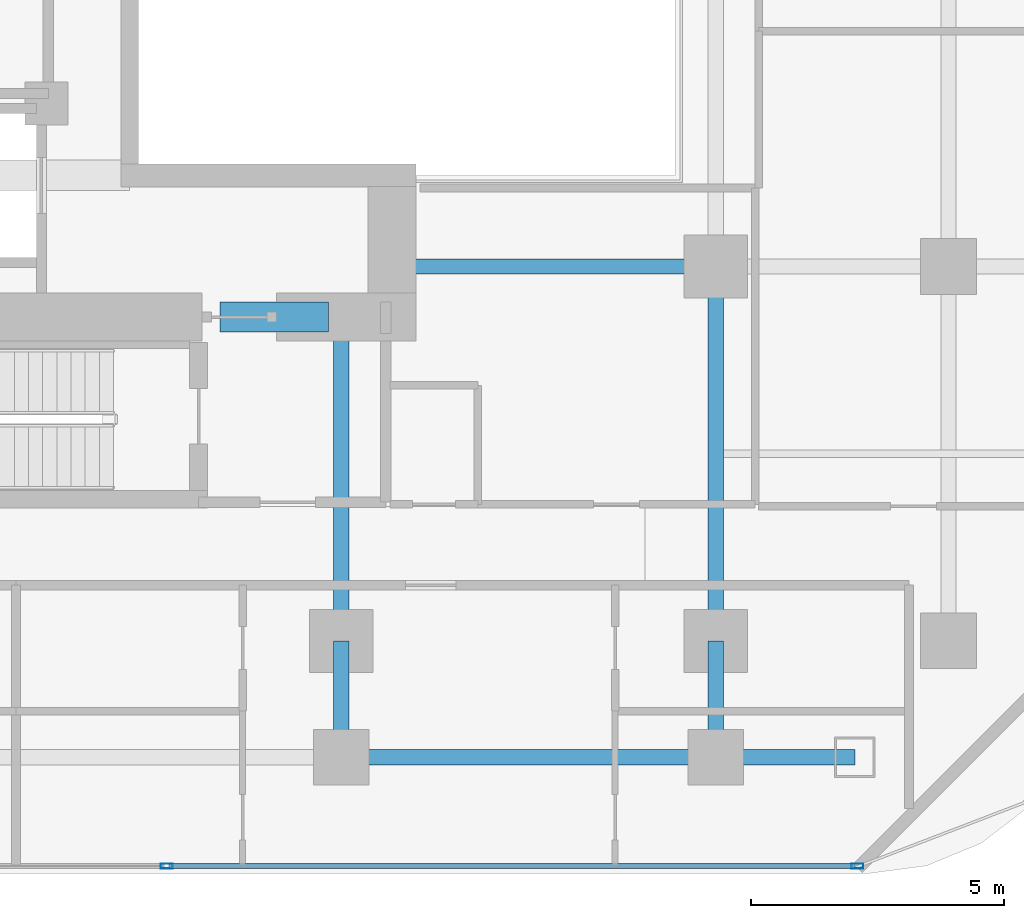
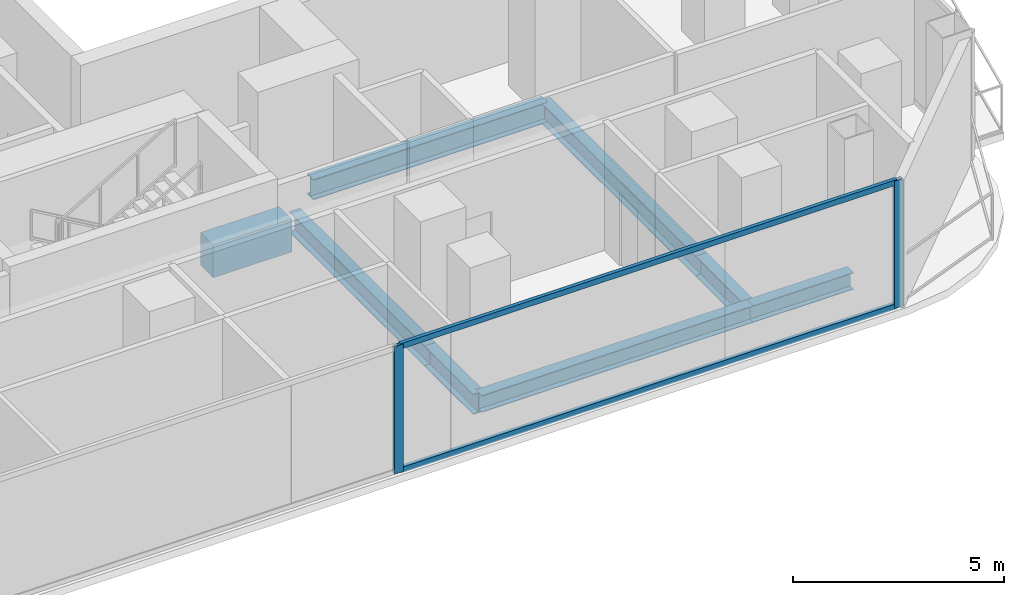
# One storey, part 8 of 27: 8 beams, 4 members, 1 element without a shape of its own.
"""IFC4 building model written with IfcOpenShell, lengths in metres."""

import ifcopenshell
import ifcopenshell.guid

model = None  # the IFC model being written
_history = None  # IfcOwnerHistory: only IFC2X3 demands one
_inside = {}  # id of a spatial element -> (the spatial element, [elements in it])
_under = {}  # id of a project, library or spatial element -> (it, [spatial elements below it])
_declared = {}  # id of a project -> (the project, [libraries it declares])
_typed = {}  # id of a type object -> (the type object, [elements of that type])
_made_of = {}  # id of a material, layer set ... -> (it, [elements and type objects made of it])


def new_model(schema):
    """Start an empty IFC model of exactly this schema.

    Asked for "IFC4X3", IfcOpenShell would pick the latest addendum, in which some entities
    have other attributes; the version numbers below select the first issue.
    IFC2X3 requires an IfcOwnerHistory on every rooted entity: one is made here for all.
    """
    global model, _history
    if schema == "IFC4X3":
        model = ifcopenshell.file(schema_version=(4, 3, 0, 0))
    else:
        model = ifcopenshell.file(schema=schema)
    _inside.clear()
    _under.clear()
    _declared.clear()
    _typed.clear()
    _made_of.clear()
    _history = None
    if model.schema == "IFC2X3":
        org = make("IfcOrganization", Name="unknown")
        user = make(
            "IfcPersonAndOrganization",
            ThePerson=make("IfcPerson", FamilyName="unknown"),
            TheOrganization=org,
        )
        app = make(
            "IfcApplication",
            ApplicationDeveloper=org,
            Version="unknown",
            ApplicationFullName="unknown",
            ApplicationIdentifier="unknown",
        )
        _history = make(
            "IfcOwnerHistory",
            OwningUser=user,
            OwningApplication=app,
            ChangeAction="ADDED",
            CreationDate=0,
        )
    return model


def make(cls, **values):
    """One entity of the class cls with the attributes given. An attribute that is None is left unset."""
    return model.create_entity(
        cls, **{name: value for name, value in values.items() if value is not None}
    )


def rooted(cls, **values):
    """An entity with a GlobalId (a new one), such as an element, a storey or a relation."""
    return make(cls, GlobalId=ifcopenshell.guid.new(), OwnerHistory=_history, **values)


def si_unit(unit_type, name, prefix=None):
    """IfcSIUnit, for example si_unit("LENGTHUNIT", "METRE", prefix="MILLI")."""
    return make("IfcSIUnit", UnitType=unit_type, Prefix=prefix, Name=name)


def assignment(units):
    """IfcUnitAssignment: the units of a project."""
    return None if units is None else make("IfcUnitAssignment", Units=units)


def point(xyz):
    """IfcCartesianPoint."""
    return None if xyz is None else make("IfcCartesianPoint", Coordinates=xyz)


def direction(xyz):
    """IfcDirection."""
    return None if xyz is None else make("IfcDirection", DirectionRatios=xyz)


def frame(location, z_axis=None, x_axis=None):
    """IfcAxis2Placement3D, a coordinate frame: its origin and axes. An axis left out is left unset."""
    return make(
        "IfcAxis2Placement3D",
        Location=point(location),
        Axis=direction(z_axis),
        RefDirection=direction(x_axis),
    )


def frame_2d(location, x_axis=None):
    """IfcAxis2Placement2D, a coordinate frame in the plane: its origin and x axis."""
    return make(
        "IfcAxis2Placement2D", Location=point(location), RefDirection=direction(x_axis)
    )


def origin():
    """The frame at (0, 0, 0) with its axes left unset."""
    return frame((0.0, 0.0, 0.0))


def origin_2d():
    """The frame at (0, 0) in the plane with its x axis left unset."""
    return frame_2d((0.0, 0.0))


def place(relative_to, where):
    """IfcLocalPlacement: puts the frame where relative to a parent placement (None: the world)."""
    return make(
        "IfcLocalPlacement", PlacementRelTo=relative_to, RelativePlacement=where
    )


def context(
    kind, dimensions, precision=None, world=None, true_north=None, identifier=None
):
    """IfcGeometricRepresentationContext, for example the 3D "Model" context."""
    return make(
        "IfcGeometricRepresentationContext",
        ContextIdentifier=identifier,
        ContextType=kind,
        CoordinateSpaceDimension=dimensions,
        Precision=precision,
        WorldCoordinateSystem=world,
        TrueNorth=true_north,
    )


def subcontext(parent, identifier, kind, view, scale=None):
    """IfcGeometricRepresentationSubContext, for example "Body" below "Model"."""
    return make(
        "IfcGeometricRepresentationSubContext",
        ContextIdentifier=identifier,
        ContextType=kind,
        ParentContext=parent,
        TargetScale=scale,
        TargetView=view,
    )


def project(units=None, contexts=None):
    """IfcProject with its units and contexts."""
    return rooted(
        "IfcProject",
        Name="project",
        RepresentationContexts=contexts,
        UnitsInContext=assignment(units),
    )


def spatial(cls, under=None, at=None, **own):
    """A site, building, storey or space (cls), placed at a placement, below another one or the project."""
    s = rooted(cls, ObjectPlacement=at, **own)
    if under is not None:
        _under.setdefault(under.id(), (under, []))[1].append(s)
    return s


def profile(cls, at=None, kind="AREA", **sizes):
    """A parametric profile (cls). Its sizes go by their IFC names, for example OverallWidth=200.0."""
    return make(cls, ProfileType=kind, Position=at, **sizes)


def rectangle(**sizes):
    """IfcRectangleProfileDef."""
    return profile("IfcRectangleProfileDef", **sizes)


def hollow_rectangle(**sizes):
    """IfcRectangleHollowProfileDef."""
    return profile("IfcRectangleHollowProfileDef", **sizes)


def i_section(**sizes):
    """IfcIShapeProfileDef."""
    return profile("IfcIShapeProfileDef", **sizes)


def extrude(swept, where, along, depth):
    """IfcExtrudedAreaSolid: the profile swept, set in the frame where, extruded along a direction by depth."""
    return make(
        "IfcExtrudedAreaSolid",
        SweptArea=swept,
        Position=where,
        ExtrudedDirection=direction(along),
        Depth=depth,
    )


def shape(context_of_items, identifier, shape_type, items):
    """IfcShapeRepresentation: the items that make up one representation, for example the "Body"."""
    return make(
        "IfcShapeRepresentation",
        ContextOfItems=context_of_items,
        RepresentationIdentifier=identifier,
        RepresentationType=shape_type,
        Items=items,
    )


def material(Name=None, Category=None):
    """IfcMaterial."""
    return make("IfcMaterial", Name=Name, Category=Category)


def layer(
    of_material, thickness, ventilated=None, Name=None, Category=None, Priority=None
):
    """IfcMaterialLayer: one layer of a wall or slab, of a material (None: an air gap)."""
    return make(
        "IfcMaterialLayer",
        Material=of_material,
        LayerThickness=thickness,
        IsVentilated=ventilated,
        Name=Name,
        Category=Category,
        Priority=Priority,
    )


def layer_set(layers, Name=None):
    """IfcMaterialLayerSet."""
    return make("IfcMaterialLayerSet", MaterialLayers=layers, LayerSetName=Name)


def material_profile(
    of_material, cross_section, Name=None, Category=None, Priority=None
):
    """IfcMaterialProfile: a cross section and its material."""
    return make(
        "IfcMaterialProfile",
        Name=Name,
        Material=of_material,
        Profile=cross_section,
        Priority=Priority,
        Category=Category,
    )


def profile_set(profiles, Name=None, composite=None):
    """IfcMaterialProfileSet."""
    return make(
        "IfcMaterialProfileSet",
        Name=Name,
        MaterialProfiles=profiles,
        CompositeProfile=composite,
    )


def made_of(thing, what):
    """Note that an element or type object is made of a material, layer set ...; save() writes the relation."""
    if what is not None:
        _made_of.setdefault(what.id(), (what, []))[1].append(thing)
    return thing


def type_object(cls, material=None, **own):
    """A type object (cls), such as IfcWallType, which elements share."""
    return made_of(rooted(cls, **own), material)


def element(
    cls,
    number,
    at=None,
    inside=None,
    cuts=None,
    type_object=None,
    material=None,
    context=None,
    identifier="Body",
    shape_type=None,
    held_by="IfcProductDefinitionShape",
    body=None,
    shapes=None,
    **own,
):
    """One element of the class cls, such as IfcWall. Its Tag is "e" and its number.

    at: its placement. inside: the storey or other place that contains it. cuts: it is an
    opening in that element (IfcRelVoidsElement). A single representation is given by context,
    identifier, shape_type and body (its items); several are given by shapes. held_by: the class
    of the entity that holds the representations. save() writes the other relations.
    """
    e = rooted(cls, Tag="e%d" % number, ObjectPlacement=at, **own)
    if body is not None:
        shapes = [shape(context, identifier, shape_type, body)]
    if shapes is not None:
        e.Representation = make(held_by, Representations=shapes)
    if inside is not None:
        _inside.setdefault(inside.id(), (inside, []))[1].append(e)
    if cuts is not None:
        rooted(
            "IfcRelVoidsElement", RelatingBuildingElement=cuts, RelatedOpeningElement=e
        )
    if type_object is not None:
        _typed.setdefault(type_object.id(), (type_object, []))[1].append(e)
    return made_of(e, material)


def aggregate(whole, parts):
    """IfcRelAggregates: a whole, such as a stair, and the parts it consists of."""
    return rooted("IfcRelAggregates", RelatingObject=whole, RelatedObjects=parts)


def save(model, path):
    """Write the relations noted so far, then the file.

    IfcRelAggregates (storeys below a building ...), IfcRelContainedInSpatialStructure (elements
    in a storey), IfcRelDefinesByType, IfcRelAssociatesMaterial and IfcRelDeclares: one each for
    every whole, place, type object, material and project.
    """
    for whole, parts in _under.values():
        aggregate(whole, parts)
    for where, things in _inside.values():
        rooted(
            "IfcRelContainedInSpatialStructure",
            RelatedElements=things,
            RelatingStructure=where,
        )
    for kind, things in _typed.values():
        rooted("IfcRelDefinesByType", RelatedObjects=things, RelatingType=kind)
    for what, things in _made_of.values():
        rooted("IfcRelAssociatesMaterial", RelatedObjects=things, RelatingMaterial=what)
    for by, libraries in _declared.values():
        rooted("IfcRelDeclares", RelatingContext=by, RelatedDefinitions=libraries)
    model.write(path)


model = new_model("IFC4")

# Units and contexts
model_context = context("Model", 3, precision=1e-05, world=origin(), true_north=direction((0.0, 1.0)))
body_context = subcontext(model_context, "Body", "Model", "MODEL_VIEW")
ifc_project = project(units=[si_unit("LENGTHUNIT", "METRE"), si_unit("AREAUNIT", "SQUARE_METRE"), si_unit("VOLUMEUNIT", "CUBIC_METRE"), si_unit("PLANEANGLEUNIT", "RADIAN"), si_unit("MASSUNIT", "GRAM", prefix="KILO")], contexts=[model_context])

# Site, building, storey
site_placement = place(None, origin())
site = spatial("IfcSite", under=ifc_project, at=site_placement, CompositionType="ELEMENT")
building_placement = place(site_placement, origin())
building = spatial("IfcBuilding", under=site, at=building_placement, Name="Khorvyn Point Tower", CompositionType="ELEMENT")
storey_placement = place(building_placement, frame((0.0, 0.0, 96.89990234375)))
storey = spatial("IfcBuildingStorey", under=building, at=storey_placement, Name="L24", CompositionType="ELEMENT", Elevation=96.89990234375)

# Curtain wall, members
ifc_material_1 = material(Name="Anodised aluminium 6063-T6 and laminated Low-E glass", Category="aluminium")
ifc_layer = layer(ifc_material_1, 0.18994140625)
ifc_layer_set = layer_set([ifc_layer], Name="Stick-Built Finned Residential Curtain Wall CW-SYS-02")
curtain_wall_type = type_object("IfcCurtainWallType", Name="Stick-Built Finned Residential Curtain Wall CW-SYS-02", PredefinedType="NOTDEFINED", material=ifc_layer_set)
curtain_wall_placement = place(storey_placement, origin())
curtain_wall = element("IfcCurtainWall", 1, at=curtain_wall_placement, inside=storey, type_object=curtain_wall_type, Name="Curtain Wall", PredefinedType="NOTDEFINED")
ifc_material_2 = material(Name="Anodised aluminium 6063-T6", Category="aluminium")
ifc_material_profile_1 = material_profile(ifc_material_2, hollow_rectangle(XDim=0.10009765625, YDim=0.239990234375, WallThickness=0.0048828125, at=origin_2d()))
ifc_profile_set_1 = profile_set([ifc_material_profile_1], Name="Anodised aluminium 6063-T6 ALU-MUL-100x240")
member_type_1 = type_object("IfcMemberType", Name="Anodised Aluminium 6063-T6 Mullion ALU-MUL-100x240", PredefinedType="MULLION", material=ifc_profile_set_1)
member_1_placement = place(storey_placement, frame((17.60009765625, -19.25, 0.0), z_axis=(0.0, 0.0, 1.0), x_axis=(0.0, -1.0, 0.0)))
member_1 = element("IfcMember", 2, at=member_1_placement, type_object=member_type_1, Name="Transom", PredefinedType="MULLION", context=body_context, shape_type="SweptSolid", body=[
    extrude(hollow_rectangle(XDim=0.10009765625, YDim=0.239990234375, WallThickness=0.0048828125, at=origin_2d()), origin(), (0.0, 0.0, 1.0), 3.68017578125),
])
member_2_placement = place(storey_placement, frame((3.949951171875, -19.25, 0.0), z_axis=(0.0, 0.0, 1.0), x_axis=(0.0, -1.0, 0.0)))
member_2 = element("IfcMember", 3, at=member_2_placement, type_object=member_type_1, Name="Transom", PredefinedType="MULLION", context=body_context, shape_type="SweptSolid", body=[
    extrude(hollow_rectangle(XDim=0.10009765625, YDim=0.239990234375, WallThickness=0.0048828125, at=origin_2d()), origin(), (0.0, 0.0, 1.0), 3.68017578125),
])
ifc_material_profile_2 = material_profile(ifc_material_2, hollow_rectangle(XDim=0.10009765625, YDim=0.159912109375, WallThickness=0.00439453125, at=origin_2d()))
ifc_profile_set_2 = profile_set([ifc_material_profile_2], Name="Anodised aluminium 6063-T6 ALU-TRN-100x160")
member_type_2 = type_object("IfcMemberType", Name="Anodised Aluminium 6063-T6 Transom ALU-TRN-100x160", PredefinedType="USERDEFINED", material=ifc_profile_set_2)
member_3_placement = place(storey_placement, frame((17.550048828125, -19.25, 0.050048828125), z_axis=(-1.0, 0.0, 0.0), x_axis=(0.0, -1.0, 0.0)))
member_3 = element("IfcMember", 4, at=member_3_placement, type_object=member_type_2, Name="Transom", ObjectType="TRANSOM", PredefinedType="USERDEFINED", context=body_context, shape_type="SweptSolid", body=[
    extrude(hollow_rectangle(XDim=0.10009765625, YDim=0.159912109375, WallThickness=0.00439453125, at=origin_2d()), origin(), (0.0, 0.0, 1.0), 13.550048828125),
])
member_4_placement = place(storey_placement, frame((17.550048828125, -19.25, 3.630126953125), z_axis=(-1.0, 0.0, 0.0), x_axis=(0.0, -1.0, 0.0)))
member_4 = element("IfcMember", 5, at=member_4_placement, type_object=member_type_2, Name="Transom", ObjectType="TRANSOM", PredefinedType="USERDEFINED", context=body_context, shape_type="SweptSolid", body=[
    extrude(hollow_rectangle(XDim=0.10009765625, YDim=0.159912109375, WallThickness=0.00439453125, at=origin_2d()), origin(), (0.0, 0.0, 1.0), 13.550048828125),
])
aggregate(curtain_wall, [member_1, member_2, member_3, member_4])

# Beams
ifc_material_3 = material(Name="Concrete C50/60", Category="concrete")
ifc_material_profile_3 = material_profile(ifc_material_3, rectangle(XDim=0.60009765625, YDim=0.949951171875, at=origin_2d()))
ifc_profile_set_3 = profile_set([ifc_material_profile_3], Name="Concrete C50/60 RC600x950")
beam_type_1 = type_object("IfcBeamType", Name="Concrete C50/60 Beam RC600x950", PredefinedType="BEAM", material=ifc_profile_set_3)
beam_1_placement = place(storey_placement, frame((5.0, -8.39990234375, -0.69482421875), z_axis=(1.0, 0.0, 0.0), x_axis=(0.0, 1.0, 0.0)))
element("IfcBeam", 6, at=beam_1_placement, inside=storey, type_object=beam_type_1, Name="L24 Core Southeast Portal Coupling Beam", PredefinedType="BEAM", context=body_context, shape_type="SweptSolid", body=[
    extrude(rectangle(XDim=0.60009765625, YDim=0.949951171875, at=origin_2d()), origin(), (0.0, 0.0, 1.0), 2.14990234375),
])
ifc_material_4 = material(Name="Steel S355", Category="steel")
ifc_material_profile_4 = material_profile(ifc_material_4, i_section(OverallWidth=0.300048828125, OverallDepth=0.587890625, WebThickness=0.011962890625, FlangeThickness=0.02001953125, at=origin_2d()))
ifc_profile_set_4 = profile_set([ifc_material_profile_4], Name="Steel S355 H588x300x12x20")
beam_type_2 = type_object("IfcBeamType", Name="Steel S355 Beam H588x300x12x20", PredefinedType="BEAM", material=ifc_profile_set_4)
beam_2_placement = place(storey_placement, frame((8.39990234375, -7.39990234375, -0.513916015625), z_axis=(1.0, 0.0, 0.0), x_axis=(0.0, 1.0, 0.0)))
element("IfcBeam", 7, at=beam_2_placement, inside=storey, type_object=beam_type_2, Name="Beam", PredefinedType="BEAM", context=body_context, shape_type="SweptSolid", body=[
    extrude(i_section(OverallWidth=0.300048828125, OverallDepth=0.587890625, WebThickness=0.011962890625, FlangeThickness=0.02001953125, at=origin_2d()), origin(), (0.0, 0.0, 1.0), 6.400146484375),
])
beam_3_placement = place(storey_placement, frame((14.800048828125, -17.10009765625, -0.513916015625), z_axis=(0.0, 1.0, 0.0), x_axis=(-1.0, 0.0, 0.0)))
element("IfcBeam", 8, at=beam_3_placement, inside=storey, type_object=beam_type_2, Name="Beam", PredefinedType="BEAM", context=body_context, shape_type="SweptSolid", body=[
    extrude(i_section(OverallWidth=0.300048828125, OverallDepth=0.587890625, WebThickness=0.011962890625, FlangeThickness=0.02001953125, at=origin_2d()), origin(), (0.0, 0.0, 1.0), 2.300048828125),
])
beam_4_placement = place(storey_placement, frame((14.800048828125, -14.800048828125, -0.513916015625), z_axis=(0.0, 1.0, 0.0), x_axis=(-1.0, 0.0, 0.0)))
element("IfcBeam", 9, at=beam_4_placement, inside=storey, type_object=beam_type_2, Name="Beam", PredefinedType="BEAM", context=body_context, shape_type="SweptSolid", body=[
    extrude(i_section(OverallWidth=0.300048828125, OverallDepth=0.587890625, WebThickness=0.011962890625, FlangeThickness=0.02001953125, at=origin_2d()), origin(), (0.0, 0.0, 1.0), 7.400146484375),
])
beam_5_placement = place(storey_placement, frame((7.39990234375, -17.10009765625, -0.513916015625), z_axis=(0.0, 1.0, 0.0), x_axis=(-1.0, 0.0, 0.0)))
element("IfcBeam", 10, at=beam_5_placement, inside=storey, type_object=beam_type_2, Name="Beam", PredefinedType="BEAM", context=body_context, shape_type="SweptSolid", body=[
    extrude(i_section(OverallWidth=0.300048828125, OverallDepth=0.587890625, WebThickness=0.011962890625, FlangeThickness=0.02001953125, at=origin_2d()), origin(), (0.0, 0.0, 1.0), 2.300048828125),
])
beam_6_placement = place(storey_placement, frame((7.39990234375, -14.800048828125, -0.513916015625), z_axis=(0.0, 1.0, 0.0), x_axis=(-1.0, 0.0, 0.0)))
element("IfcBeam", 11, at=beam_6_placement, inside=storey, type_object=beam_type_2, Name="Beam", PredefinedType="BEAM", context=body_context, shape_type="SweptSolid", body=[
    extrude(i_section(OverallWidth=0.300048828125, OverallDepth=0.587890625, WebThickness=0.011962890625, FlangeThickness=0.02001953125, at=origin_2d()), origin(), (0.0, 0.0, 1.0), 6.400146484375),
])
ifc_material_profile_5 = material_profile(ifc_material_4, i_section(OverallWidth=0.300048828125, OverallDepth=0.488037109375, WebThickness=0.010986328125, FlangeThickness=0.01806640625, at=origin_2d()))
ifc_profile_set_5 = profile_set([ifc_material_profile_5], Name="Steel S355 H488x300x11x18")
beam_type_3 = type_object("IfcBeamType", Name="Steel S355 Spandrel H488x300x11x18", PredefinedType="SPANDREL", material=ifc_profile_set_5)
beam_7_placement = place(storey_placement, frame((7.39990234375, -17.10009765625, -0.4638671875), z_axis=(1.0, 0.0, 0.0), x_axis=(0.0, 1.0, 0.0)))
element("IfcBeam", 12, at=beam_7_placement, inside=storey, type_object=beam_type_3, Name="Beam", PredefinedType="SPANDREL", context=body_context, shape_type="SweptSolid", body=[
    extrude(i_section(OverallWidth=0.300048828125, OverallDepth=0.488037109375, WebThickness=0.010986328125, FlangeThickness=0.01806640625, at=origin_2d()), origin(), (0.0, 0.0, 1.0), 7.400146484375),
])
beam_8_placement = place(storey_placement, frame((14.800048828125, -17.10009765625, -0.4638671875), z_axis=(1.0, 0.0, 0.0), x_axis=(0.0, 1.0, 0.0)))
element("IfcBeam", 13, at=beam_8_placement, inside=storey, type_object=beam_type_3, Name="Beam", PredefinedType="SPANDREL", context=body_context, shape_type="SweptSolid", body=[
    extrude(i_section(OverallWidth=0.300048828125, OverallDepth=0.488037109375, WebThickness=0.010986328125, FlangeThickness=0.01806640625, at=origin_2d()), origin(), (0.0, 0.0, 1.0), 2.75),
])

save(model, "model.ifc")
